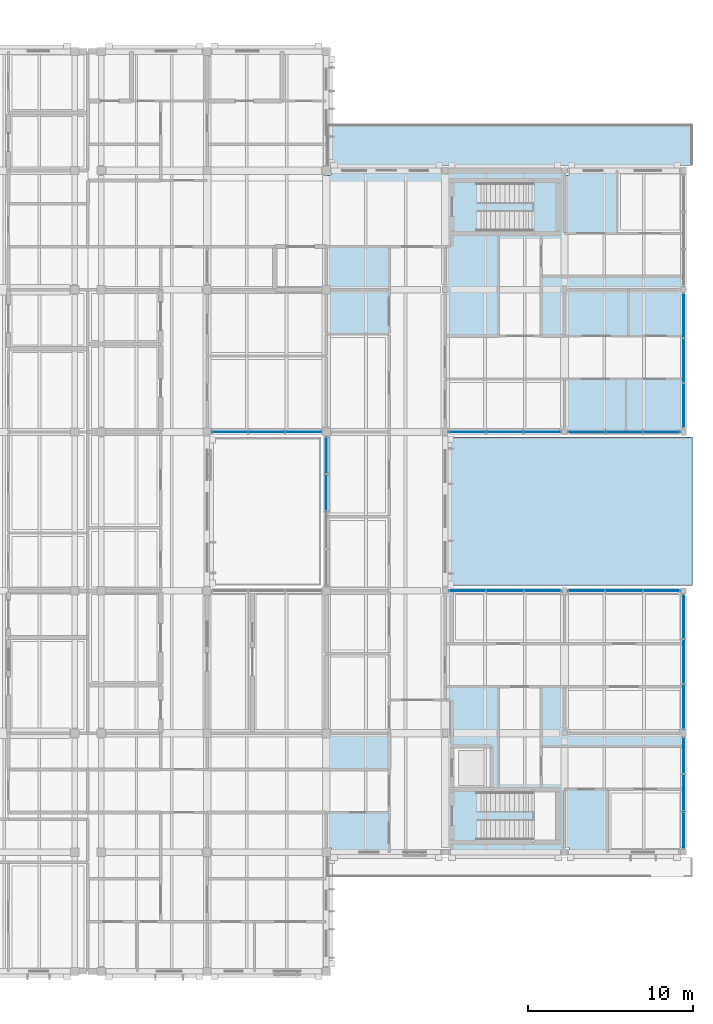
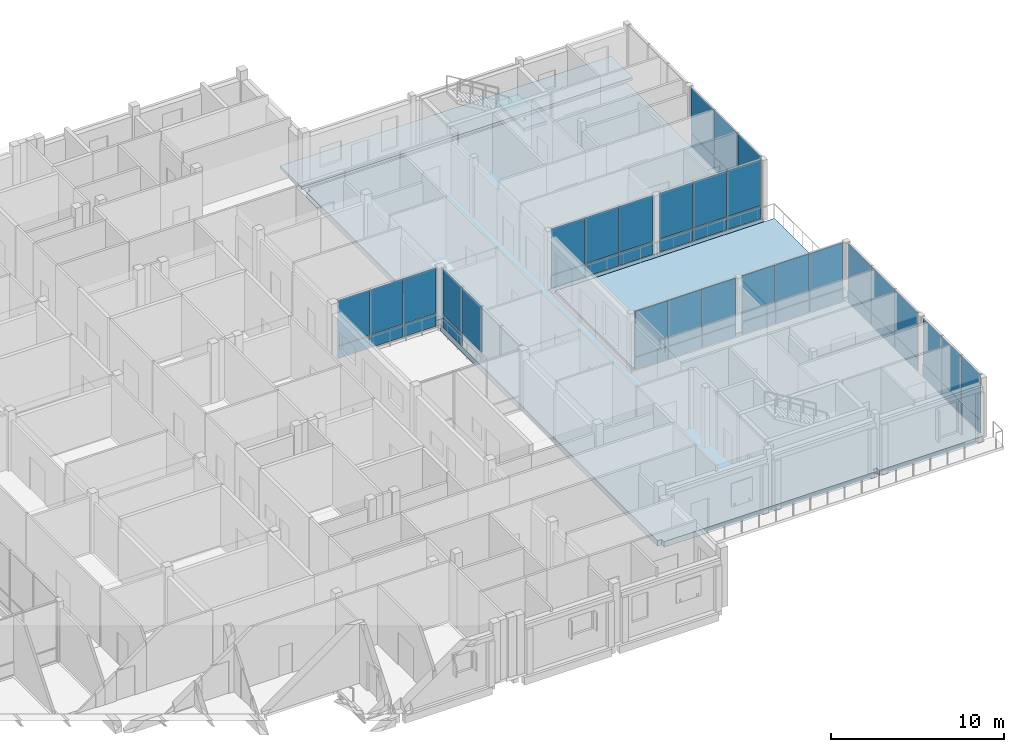
# One storey, part 102 of 146: 51 plates, 4 slabs, 10 elements without a shape of their own.
"""IFC4 building model written with IfcOpenShell, lengths in metres."""

from ifc_helpers import new_model, si_unit, direction, frame, origin, origin_2d, place, context, subcontext, project, spatial, polyline, rectangle, outline, extrude, material, layer, layer_set, type_object, element, aggregate, save


model = new_model("IFC4")

# Units and contexts
model_context = context("Model", 3, precision=1e-05, world=origin(), true_north=direction((0.0, 1.0)))
body_context = subcontext(model_context, "Body", "Model", "MODEL_VIEW")
ifc_project = project(units=[si_unit("LENGTHUNIT", "METRE"), si_unit("AREAUNIT", "SQUARE_METRE"), si_unit("VOLUMEUNIT", "CUBIC_METRE"), si_unit("PLANEANGLEUNIT", "RADIAN"), si_unit("MASSUNIT", "GRAM", prefix="KILO")], contexts=[model_context])

# Site, building, storey
site_placement = place(None, origin())
site = spatial("IfcSite", under=ifc_project, at=site_placement, CompositionType="ELEMENT")
building_placement = place(site_placement, origin())
building = spatial("IfcBuilding", under=site, at=building_placement, Name="Hawrajan Terrace Health Centre", CompositionType="ELEMENT")
storey_placement = place(building_placement, frame((0.0, 0.0, 4.5)))
storey = spatial("IfcBuildingStorey", under=building, at=storey_placement, Name="L01", CompositionType="ELEMENT", Elevation=4.5)

# Slab
ifc_material_1 = material(Name="Concrete C40/50", Category="concrete")
ifc_layer_1 = layer(ifc_material_1, 0.39990234375)
ifc_layer_set_1 = layer_set([ifc_layer_1], Name="Concrete C40/50")
slab_type_1 = type_object("IfcSlabType", Name="BaseSlab_RC400", PredefinedType="BASESLAB", material=ifc_layer_set_1)
slab_1_placement = place(storey_placement, frame((0.0, 0.0, -0.39990234375)))
element("IfcSlab", 1, at=slab_1_placement, inside=storey, type_object=slab_type_1, Name="Structural slab SL-L01-E-V6-Z6-1", PredefinedType="BASESLAB", context=body_context, shape_type="SweptSolid", body=[
    extrude(outline(polyline([(144.35009765625, 36.800048828125), (144.35009765625, 37.35009765625), (143.802001953125, 37.35009765625), (143.802001953125, 52.320068359375), (144.080078125, 52.320068359375), (144.080078125, 52.60009765625), (151.0, 52.60009765625), (158.199951171875, 52.60009765625), (158.199951171875, 52.320068359375), (158.47998046875, 52.320068359375), (158.47998046875, 52.60009765625), (165.39990234375, 52.60009765625), (165.39990234375, 45.39990234375), (165.39990234375, 36.800048828125), (158.199951171875, 36.800048828125), (151.0, 36.800048828125), (151.0, 27.199951171875), (158.199951171875, 27.199951171875), (165.39990234375, 27.199951171875), (165.39990234375, 18.60009765625), (165.39990234375, 11.39990234375), (158.47998046875, 11.39990234375), (158.47998046875, 11.679931640625), (158.199951171875, 11.679931640625), (158.199951171875, 11.39990234375), (151.0, 11.39990234375), (144.080078125, 11.39990234375), (144.080078125, 11.679931640625), (143.802001953125, 11.679931640625), (143.802001953125, 27.201904296875), (143.800048828125, 27.201904296875), (143.800048828125, 36.798095703125), (143.802001953125, 36.798095703125), (143.802001953125, 36.800048828125), (144.35009765625, 36.800048828125)])), origin(), (0.0, 0.0, 1.0), 0.39990234375),
])

# Curtain wall, plates
ifc_material_2 = material(Name="Anodized bronze aluminium and low-E solar glazing", Category="aluminium")
curtain_wall_type_1 = type_object("IfcCurtainWallType", Name="CW_Hall_SeriesD2", PredefinedType="USERDEFINED", material=ifc_material_2)
curtain_wall_1_placement = place(storey_placement, origin())
curtain_wall_1 = element("IfcCurtainWall", 2, at=curtain_wall_1_placement, inside=storey, type_object=curtain_wall_type_1, Name="Curtain wall CW-L01-107", ObjectType="UNITISED CURTAIN WALL", PredefinedType="USERDEFINED")
ifc_material_3 = material(Name="Diffused north-light insulated glazing", Category="glass")
ifc_layer_2 = layer(ifc_material_3, 0.031982421875)
ifc_layer_set_2 = layer_set([ifc_layer_2], Name="Diffused north-light insulated glazing")
plate_type_1 = type_object("IfcPlateType", Name="ClerestoryGlassPanel_32", PredefinedType="CURTAIN_PANEL", material=ifc_layer_set_2)
plate_1_placement = place(storey_placement, frame((143.800048828125, 33.128173828125, 0.9814453125), z_axis=(0.0, 0.0, 1.0), x_axis=(0.0, 1.0, 0.0)))
plate_1 = element("IfcPlate", 3, at=plate_1_placement, type_object=plate_type_1, Name="Curtain panel CW-L01-107-P3-2", PredefinedType="CURTAIN_PANEL", context=body_context, shape_type="SweptSolid", body=[
    extrude(rectangle(XDim=2.193359375, YDim=0.031982421875, at=origin_2d()), origin(), (0.0, 0.0, 1.0), 3.20947265625),
])
plate_2_placement = place(storey_placement, frame((143.800048828125, 35.384521484375, 0.9814453125), z_axis=(0.0, 0.0, 1.0), x_axis=(0.0, 1.0, 0.0)))
plate_2 = element("IfcPlate", 4, at=plate_2_placement, type_object=plate_type_1, Name="Curtain panel CW-L01-107-P4-2", PredefinedType="CURTAIN_PANEL", context=body_context, shape_type="SweptSolid", body=[
    extrude(rectangle(XDim=2.193359375, YDim=0.031982421875, at=origin_2d()), origin(), (0.0, 0.0, 1.0), 3.20947265625),
])

curtain_wall_type_2 = type_object("IfcCurtainWallType", Name="CW_Garden_SeriesF1", PredefinedType="USERDEFINED", material=ifc_material_2)
curtain_wall_2_placement = place(storey_placement, origin())
curtain_wall_2 = element("IfcCurtainWall", 5, at=curtain_wall_2_placement, inside=storey, type_object=curtain_wall_type_2, Name="Curtain wall CW-L01-110", ObjectType="UNITISED CURTAIN WALL", PredefinedType="USERDEFINED")
plate_3_placement = place(storey_placement, frame((165.39990234375, 12.739990234375, 0.9814453125), z_axis=(0.0, 0.0, 1.0), x_axis=(0.0, 1.0, 0.0)))
plate_3 = element("IfcPlate", 6, at=plate_3_placement, type_object=plate_type_1, Name="Curtain panel CW-L01-110-P1-2", PredefinedType="CURTAIN_PANEL", context=body_context, shape_type="SweptSolid", body=[
    extrude(rectangle(XDim=2.181884765625, YDim=0.031982421875, at=origin_2d()), origin(), (0.0, 0.0, 1.0), 3.20947265625),
])
plate_4_placement = place(storey_placement, frame((165.39990234375, 14.985107421875, 0.9814453125), z_axis=(0.0, 0.0, 1.0), x_axis=(0.0, 1.0, 0.0)))
plate_4 = element("IfcPlate", 7, at=plate_4_placement, type_object=plate_type_1, Name="Curtain panel CW-L01-110-P2-2", PredefinedType="CURTAIN_PANEL", context=body_context, shape_type="SweptSolid", body=[
    extrude(rectangle(XDim=2.181884765625, YDim=0.031982421875, at=origin_2d()), origin(), (0.0, 0.0, 1.0), 3.20947265625),
])
plate_5_placement = place(storey_placement, frame((165.39990234375, 17.22998046875, 0.9814453125), z_axis=(0.0, 0.0, 1.0), x_axis=(0.0, 1.0, 0.0)))
plate_5 = element("IfcPlate", 8, at=plate_5_placement, type_object=plate_type_1, Name="Curtain panel CW-L01-110-P3-2", PredefinedType="CURTAIN_PANEL", context=body_context, shape_type="SweptSolid", body=[
    extrude(rectangle(XDim=2.181884765625, YDim=0.031982421875, at=origin_2d()), origin(), (0.0, 0.0, 1.0), 3.20947265625),
])

curtain_wall_type_3 = type_object("IfcCurtainWallType", Name="CW_Clerestory_SeriesG2", PredefinedType="USERDEFINED", material=ifc_material_2)
curtain_wall_3_placement = place(storey_placement, origin())
curtain_wall_3 = element("IfcCurtainWall", 9, at=curtain_wall_3_placement, inside=storey, type_object=curtain_wall_type_3, Name="Curtain wall CW-L01-113", ObjectType="UNITISED CURTAIN WALL", PredefinedType="USERDEFINED")
plate_6_placement = place(storey_placement, frame((159.54833984375, 36.800048828125, 0.9814453125), z_axis=(0.0, 0.0, 1.0), x_axis=(1.0, 0.0, 0.0)))
plate_6 = element("IfcPlate", 10, at=plate_6_placement, type_object=plate_type_1, Name="Curtain panel CW-L01-113-P1-2", PredefinedType="CURTAIN_PANEL", context=body_context, shape_type="SweptSolid", body=[
    extrude(rectangle(XDim=2.19873046875, YDim=0.031982421875, at=origin_2d()), origin(), (0.0, 0.0, 1.0), 3.20947265625),
])
plate_7_placement = place(storey_placement, frame((161.81005859375, 36.800048828125, 0.9814453125), z_axis=(0.0, 0.0, 1.0), x_axis=(1.0, 0.0, 0.0)))
plate_7 = element("IfcPlate", 11, at=plate_7_placement, type_object=plate_type_1, Name="Curtain panel CW-L01-113-P2-2", PredefinedType="CURTAIN_PANEL", context=body_context, shape_type="SweptSolid", body=[
    extrude(rectangle(XDim=2.19873046875, YDim=0.031982421875, at=origin_2d()), origin(), (0.0, 0.0, 1.0), 3.20947265625),
])
plate_8_placement = place(storey_placement, frame((164.07177734375, 36.800048828125, 0.9814453125), z_axis=(0.0, 0.0, 1.0), x_axis=(1.0, 0.0, 0.0)))
plate_8 = element("IfcPlate", 12, at=plate_8_placement, type_object=plate_type_1, Name="Curtain panel CW-L01-113-P3-2", PredefinedType="CURTAIN_PANEL", context=body_context, shape_type="SweptSolid", body=[
    extrude(rectangle(XDim=2.19873046875, YDim=0.031982421875, at=origin_2d()), origin(), (0.0, 0.0, 1.0), 3.20947265625),
])

# Slabs
ifc_layer_3 = layer(ifc_material_1, 0.199951171875)
ifc_layer_set_3 = layer_set([ifc_layer_3], Name="Concrete C40/50")
slab_type_2 = type_object("IfcSlabType", Name="SiteApronPaving_RC200", PredefinedType="BASESLAB", material=ifc_layer_set_3)
slab_2_placement = place(storey_placement, frame((0.0, 0.0, -0.199951171875)))
element("IfcSlab", 13, at=slab_2_placement, inside=storey, type_object=slab_type_2, Name="Exterior escarpment terrace APRON-L01-EAST-GAIT", PredefinedType="BASESLAB", context=body_context, shape_type="SweptSolid", body=[
    extrude(outline(polyline([(151.31005859375, 27.510009765625), (165.949951171875, 27.510009765625), (165.949951171875, 36.489990234375), (151.31005859375, 36.489990234375), (151.31005859375, 27.510009765625)])), origin(), (0.0, 0.0, 1.0), 0.199951171875),
])
slab_3_placement = place(storey_placement, frame((0.0, 0.0, -0.199951171875)))
element("IfcSlab", 14, at=slab_3_placement, inside=storey, type_object=slab_type_2, Name="Exterior escarpment terrace APRON-L01-EAST-NORTH", PredefinedType="BASESLAB", context=body_context, shape_type="SweptSolid", body=[
    extrude(outline(polyline([(143.800048828125, 52.909912109375), (165.949951171875, 52.909912109375), (165.949951171875, 55.39990234375), (143.800048828125, 55.39990234375), (143.800048828125, 52.909912109375)])), origin(), (0.0, 0.0, 1.0), 0.199951171875),
])

# Curtain wall, plates
curtain_wall_type_4 = type_object("IfcCurtainWallType", Name="CW_Hall_SeriesD1", PredefinedType="USERDEFINED", material=ifc_material_2)
curtain_wall_4_placement = place(storey_placement, origin())
curtain_wall_4 = element("IfcCurtainWall", 15, at=curtain_wall_4_placement, inside=storey, type_object=curtain_wall_type_4, Name="Curtain wall CW-L01-106", ObjectType="UNITISED CURTAIN WALL", PredefinedType="USERDEFINED")
ifc_material_4 = material(Name="Insulated anodized bronze spandrel panel")
ifc_layer_4 = layer(ifc_material_4, 0.048095703125)
ifc_layer_set_4 = layer_set([ifc_layer_4], Name="Insulated anodized bronze spandrel panel")
plate_type_2 = type_object("IfcPlateType", Name="SpandrelPanel_Bronze48", PredefinedType="CURTAIN_PANEL", material=ifc_layer_set_4)
plate_9_placement = place(storey_placement, frame((137.98828125, 36.800048828125, 0.05908203125), z_axis=(0.0, 0.0, 1.0), x_axis=(1.0, 0.0, 0.0)))
plate_9 = element("IfcPlate", 16, at=plate_9_placement, type_object=plate_type_2, Name="Curtain panel CW-L01-106-P1-1", PredefinedType="CURTAIN_PANEL", context=body_context, shape_type="SweptSolid", body=[
    extrude(rectangle(XDim=2.15869140625, YDim=0.048095703125, at=origin_2d()), origin(), (0.0, 0.0, 1.0), 0.864501953125),
])
plate_10_placement = place(storey_placement, frame((140.199951171875, 36.800048828125, 0.05908203125), z_axis=(0.0, 0.0, 1.0), x_axis=(1.0, 0.0, 0.0)))
plate_10 = element("IfcPlate", 17, at=plate_10_placement, type_object=plate_type_2, Name="Curtain panel CW-L01-106-P2-1", PredefinedType="CURTAIN_PANEL", context=body_context, shape_type="SweptSolid", body=[
    extrude(rectangle(XDim=2.15869140625, YDim=0.048095703125, at=origin_2d()), origin(), (0.0, 0.0, 1.0), 0.864501953125),
])
plate_11_placement = place(storey_placement, frame((142.41162109375, 36.800048828125, 0.05908203125), z_axis=(0.0, 0.0, 1.0), x_axis=(1.0, 0.0, 0.0)))
plate_11 = element("IfcPlate", 18, at=plate_11_placement, type_object=plate_type_2, Name="Curtain panel CW-L01-106-P3-1", PredefinedType="CURTAIN_PANEL", context=body_context, shape_type="SweptSolid", body=[
    extrude(rectangle(XDim=2.15869140625, YDim=0.048095703125, at=origin_2d()), origin(), (0.0, 0.0, 1.0), 0.864501953125),
])

curtain_wall_type_5 = type_object("IfcCurtainWallType", Name="CW_Pavilion_SeriesE1", PredefinedType="USERDEFINED", material=ifc_material_2)
curtain_wall_5_placement = place(storey_placement, origin())
curtain_wall_5 = element("IfcCurtainWall", 19, at=curtain_wall_5_placement, inside=storey, type_object=curtain_wall_type_5, Name="Curtain wall CW-L01-108", ObjectType="UNITISED CURTAIN WALL", PredefinedType="USERDEFINED")
plate_12_placement = place(storey_placement, frame((152.344970703125, 27.199951171875, 0.05908203125), z_axis=(0.0, 0.0, 1.0), x_axis=(1.0, 0.0, 0.0)))
plate_12 = element("IfcPlate", 20, at=plate_12_placement, type_object=plate_type_2, Name="Curtain panel CW-L01-108-P1-1", PredefinedType="CURTAIN_PANEL", context=body_context, shape_type="SweptSolid", body=[
    extrude(rectangle(XDim=2.2119140625, YDim=0.048095703125, at=origin_2d()), origin(), (0.0, 0.0, 1.0), 0.864501953125),
])
plate_13_placement = place(storey_placement, frame((154.610107421875, 27.199951171875, 0.05908203125), z_axis=(0.0, 0.0, 1.0), x_axis=(1.0, 0.0, 0.0)))
plate_13 = element("IfcPlate", 21, at=plate_13_placement, type_object=plate_type_2, Name="Curtain panel CW-L01-108-P2-1", PredefinedType="CURTAIN_PANEL", context=body_context, shape_type="SweptSolid", body=[
    extrude(rectangle(XDim=2.2119140625, YDim=0.048095703125, at=origin_2d()), origin(), (0.0, 0.0, 1.0), 0.864501953125),
])
plate_14_placement = place(storey_placement, frame((156.875, 27.199951171875, 0.05908203125), z_axis=(0.0, 0.0, 1.0), x_axis=(1.0, 0.0, 0.0)))
plate_14 = element("IfcPlate", 22, at=plate_14_placement, type_object=plate_type_2, Name="Curtain panel CW-L01-108-P3-1", PredefinedType="CURTAIN_PANEL", context=body_context, shape_type="SweptSolid", body=[
    extrude(rectangle(XDim=2.2119140625, YDim=0.048095703125, at=origin_2d()), origin(), (0.0, 0.0, 1.0), 0.864501953125),
])

# Plate
plate_15_placement = place(storey_placement, frame((165.39990234375, 12.739990234375, 0.069091796875), z_axis=(0.0, 0.0, 1.0), x_axis=(0.0, 1.0, 0.0)))
plate_15 = element("IfcPlate", 23, at=plate_15_placement, type_object=plate_type_2, Name="Curtain panel CW-L01-110-P1-1", PredefinedType="CURTAIN_PANEL", context=body_context, shape_type="SweptSolid", body=[
    extrude(rectangle(XDim=2.181884765625, YDim=0.048095703125, at=origin_2d()), origin(), (0.0, 0.0, 1.0), 0.849609375),
])

plate_16_placement = place(storey_placement, frame((165.39990234375, 14.985107421875, 0.069091796875), z_axis=(0.0, 0.0, 1.0), x_axis=(0.0, 1.0, 0.0)))
plate_16 = element("IfcPlate", 24, at=plate_16_placement, type_object=plate_type_2, Name="Curtain panel CW-L01-110-P2-1", PredefinedType="CURTAIN_PANEL", context=body_context, shape_type="SweptSolid", body=[
    extrude(rectangle(XDim=2.181884765625, YDim=0.048095703125, at=origin_2d()), origin(), (0.0, 0.0, 1.0), 0.849609375),
])

plate_17_placement = place(storey_placement, frame((165.39990234375, 17.22998046875, 0.069091796875), z_axis=(0.0, 0.0, 1.0), x_axis=(0.0, 1.0, 0.0)))
plate_17 = element("IfcPlate", 25, at=plate_17_placement, type_object=plate_type_2, Name="Curtain panel CW-L01-110-P3-1", PredefinedType="CURTAIN_PANEL", context=body_context, shape_type="SweptSolid", body=[
    extrude(rectangle(XDim=2.181884765625, YDim=0.048095703125, at=origin_2d()), origin(), (0.0, 0.0, 1.0), 0.849609375),
])

aggregate(curtain_wall_2, [plate_15, plate_3, plate_16, plate_4, plate_17, plate_5])

# Curtain wall, plates
curtain_wall_type_6 = type_object("IfcCurtainWallType", Name="CW_Clerestory_SeriesG1", PredefinedType="USERDEFINED", material=ifc_material_2)
curtain_wall_6_placement = place(storey_placement, origin())
curtain_wall_6 = element("IfcCurtainWall", 26, at=curtain_wall_6_placement, inside=storey, type_object=curtain_wall_type_6, Name="Curtain wall CW-L01-112", ObjectType="UNITISED CURTAIN WALL", PredefinedType="USERDEFINED")
plate_18_placement = place(storey_placement, frame((165.39990234375, 20.199951171875, 0.05908203125), z_axis=(0.0, 0.0, 1.0), x_axis=(0.0, 1.0, 0.0)))
plate_18 = element("IfcPlate", 27, at=plate_18_placement, type_object=plate_type_2, Name="Curtain panel CW-L01-112-P1-1", PredefinedType="CURTAIN_PANEL", context=body_context, shape_type="SweptSolid", body=[
    extrude(rectangle(XDim=2.662109375, YDim=0.048095703125, at=origin_2d()), origin(), (0.0, 0.0, 1.0), 0.864501953125),
])
plate_19_placement = place(storey_placement, frame((165.39990234375, 22.9150390625, 0.05908203125), z_axis=(0.0, 0.0, 1.0), x_axis=(0.0, 1.0, 0.0)))
plate_19 = element("IfcPlate", 28, at=plate_19_placement, type_object=plate_type_2, Name="Curtain panel CW-L01-112-P2-1", PredefinedType="CURTAIN_PANEL", context=body_context, shape_type="SweptSolid", body=[
    extrude(rectangle(XDim=2.662109375, YDim=0.048095703125, at=origin_2d()), origin(), (0.0, 0.0, 1.0), 0.864501953125),
])
plate_20_placement = place(storey_placement, frame((165.39990234375, 25.6298828125, 0.05908203125), z_axis=(0.0, 0.0, 1.0), x_axis=(0.0, 1.0, 0.0)))
plate_20 = element("IfcPlate", 29, at=plate_20_placement, type_object=plate_type_2, Name="Curtain panel CW-L01-112-P3-1", PredefinedType="CURTAIN_PANEL", context=body_context, shape_type="SweptSolid", body=[
    extrude(rectangle(XDim=2.662109375, YDim=0.048095703125, at=origin_2d()), origin(), (0.0, 0.0, 1.0), 0.864501953125),
])

curtain_wall_type_7 = type_object("IfcCurtainWallType", Name="CW_Clerestory_SeriesG3", PredefinedType="USERDEFINED", material=ifc_material_2)
curtain_wall_7_placement = place(storey_placement, origin())
curtain_wall_7 = element("IfcCurtainWall", 30, at=curtain_wall_7_placement, inside=storey, type_object=curtain_wall_type_7, Name="Curtain wall CW-L01-114", ObjectType="UNITISED CURTAIN WALL", PredefinedType="USERDEFINED")
plate_21_placement = place(storey_placement, frame((165.39990234375, 38.39990234375, 0.05908203125), z_axis=(0.0, 0.0, 1.0), x_axis=(0.0, 1.0, 0.0)))
plate_21 = element("IfcPlate", 31, at=plate_21_placement, type_object=plate_type_2, Name="Curtain panel CW-L01-114-P1-1", PredefinedType="CURTAIN_PANEL", context=body_context, shape_type="SweptSolid", body=[
    extrude(rectangle(XDim=2.662109375, YDim=0.048095703125, at=origin_2d()), origin(), (0.0, 0.0, 1.0), 0.864501953125),
])
plate_22_placement = place(storey_placement, frame((165.39990234375, 41.114990234375, 0.05908203125), z_axis=(0.0, 0.0, 1.0), x_axis=(0.0, 1.0, 0.0)))
plate_22 = element("IfcPlate", 32, at=plate_22_placement, type_object=plate_type_2, Name="Curtain panel CW-L01-114-P2-1", PredefinedType="CURTAIN_PANEL", context=body_context, shape_type="SweptSolid", body=[
    extrude(rectangle(XDim=2.662109375, YDim=0.048095703125, at=origin_2d()), origin(), (0.0, 0.0, 1.0), 0.864501953125),
])
plate_23_placement = place(storey_placement, frame((165.39990234375, 43.830078125, 0.05908203125), z_axis=(0.0, 0.0, 1.0), x_axis=(0.0, 1.0, 0.0)))
plate_23 = element("IfcPlate", 33, at=plate_23_placement, type_object=plate_type_2, Name="Curtain panel CW-L01-114-P3-1", PredefinedType="CURTAIN_PANEL", context=body_context, shape_type="SweptSolid", body=[
    extrude(rectangle(XDim=2.662109375, YDim=0.048095703125, at=origin_2d()), origin(), (0.0, 0.0, 1.0), 0.864501953125),
])

# Plate
ifc_material_5 = material(Name="Insulated reconstituted coral-stone spandrel", Category="masonry")
ifc_layer_5 = layer(ifc_material_5, 0.055908203125)
ifc_layer_set_5 = layer_set([ifc_layer_5], Name="Insulated reconstituted coral-stone spandrel")
plate_type_3 = type_object("IfcPlateType", Name="SpandrelPanel_Coral56", PredefinedType="CURTAIN_PANEL", material=ifc_layer_set_5)
plate_24_placement = place(storey_placement, frame((143.800048828125, 35.384521484375, 0.069091796875), z_axis=(0.0, 0.0, 1.0), x_axis=(0.0, 1.0, 0.0)))
plate_24 = element("IfcPlate", 34, at=plate_24_placement, type_object=plate_type_3, Name="Curtain panel CW-L01-107-P4-1", PredefinedType="CURTAIN_PANEL", context=body_context, shape_type="SweptSolid", body=[
    extrude(rectangle(XDim=2.193359375, YDim=0.055908203125, at=origin_2d()), origin(), (0.0, 0.0, 1.0), 0.849609375),
])

aggregate(curtain_wall_1, [plate_1, plate_24, plate_2])

# Curtain wall, plates
curtain_wall_type_8 = type_object("IfcCurtainWallType", Name="CW_Pavilion_SeriesE2", PredefinedType="USERDEFINED", material=ifc_material_2)
curtain_wall_8_placement = place(storey_placement, origin())
curtain_wall_8 = element("IfcCurtainWall", 35, at=curtain_wall_8_placement, inside=storey, type_object=curtain_wall_type_8, Name="Curtain wall CW-L01-109", ObjectType="UNITISED CURTAIN WALL", PredefinedType="USERDEFINED")
plate_25_placement = place(storey_placement, frame((152.324951171875, 36.800048828125, 0.05908203125), z_axis=(0.0, 0.0, 1.0), x_axis=(1.0, 0.0, 0.0)))
plate_25 = element("IfcPlate", 36, at=plate_25_placement, type_object=plate_type_3, Name="Curtain panel CW-L01-109-P1-1", PredefinedType="CURTAIN_PANEL", context=body_context, shape_type="SweptSolid", body=[
    extrude(rectangle(XDim=2.2119140625, YDim=0.055908203125, at=origin_2d()), origin(), (0.0, 0.0, 1.0), 0.864501953125),
])
plate_26_placement = place(storey_placement, frame((154.590087890625, 36.800048828125, 0.05908203125), z_axis=(0.0, 0.0, 1.0), x_axis=(1.0, 0.0, 0.0)))
plate_26 = element("IfcPlate", 37, at=plate_26_placement, type_object=plate_type_3, Name="Curtain panel CW-L01-109-P2-1", PredefinedType="CURTAIN_PANEL", context=body_context, shape_type="SweptSolid", body=[
    extrude(rectangle(XDim=2.2119140625, YDim=0.055908203125, at=origin_2d()), origin(), (0.0, 0.0, 1.0), 0.864501953125),
])
plate_27_placement = place(storey_placement, frame((156.85498046875, 36.800048828125, 0.05908203125), z_axis=(0.0, 0.0, 1.0), x_axis=(1.0, 0.0, 0.0)))
plate_27 = element("IfcPlate", 38, at=plate_27_placement, type_object=plate_type_3, Name="Curtain panel CW-L01-109-P3-1", PredefinedType="CURTAIN_PANEL", context=body_context, shape_type="SweptSolid", body=[
    extrude(rectangle(XDim=2.2119140625, YDim=0.055908203125, at=origin_2d()), origin(), (0.0, 0.0, 1.0), 0.864501953125),
])

curtain_wall_type_9 = type_object("IfcCurtainWallType", Name="CW_Garden_SeriesF2", PredefinedType="USERDEFINED", material=ifc_material_2)
curtain_wall_9_placement = place(storey_placement, origin())
curtain_wall_9 = element("IfcCurtainWall", 39, at=curtain_wall_9_placement, inside=storey, type_object=curtain_wall_type_9, Name="Curtain wall CW-L01-111", ObjectType="UNITISED CURTAIN WALL", PredefinedType="USERDEFINED")
plate_28_placement = place(storey_placement, frame((159.52490234375, 27.199951171875, 0.05908203125), z_axis=(0.0, 0.0, 1.0), x_axis=(1.0, 0.0, 0.0)))
plate_28 = element("IfcPlate", 40, at=plate_28_placement, type_object=plate_type_3, Name="Curtain panel CW-L01-111-P1-1", PredefinedType="CURTAIN_PANEL", context=body_context, shape_type="SweptSolid", body=[
    extrude(rectangle(XDim=2.2119140625, YDim=0.055908203125, at=origin_2d()), origin(), (0.0, 0.0, 1.0), 0.864501953125),
])
plate_29_placement = place(storey_placement, frame((161.7900390625, 27.199951171875, 0.05908203125), z_axis=(0.0, 0.0, 1.0), x_axis=(1.0, 0.0, 0.0)))
plate_29 = element("IfcPlate", 41, at=plate_29_placement, type_object=plate_type_3, Name="Curtain panel CW-L01-111-P2-1", PredefinedType="CURTAIN_PANEL", context=body_context, shape_type="SweptSolid", body=[
    extrude(rectangle(XDim=2.2119140625, YDim=0.055908203125, at=origin_2d()), origin(), (0.0, 0.0, 1.0), 0.864501953125),
])
plate_30_placement = place(storey_placement, frame((164.054931640625, 27.199951171875, 0.05908203125), z_axis=(0.0, 0.0, 1.0), x_axis=(1.0, 0.0, 0.0)))
plate_30 = element("IfcPlate", 42, at=plate_30_placement, type_object=plate_type_3, Name="Curtain panel CW-L01-111-P3-1", PredefinedType="CURTAIN_PANEL", context=body_context, shape_type="SweptSolid", body=[
    extrude(rectangle(XDim=2.2119140625, YDim=0.055908203125, at=origin_2d()), origin(), (0.0, 0.0, 1.0), 0.864501953125),
])

# Plate
plate_31_placement = place(storey_placement, frame((159.54833984375, 36.800048828125, 0.069091796875), z_axis=(0.0, 0.0, 1.0), x_axis=(1.0, 0.0, 0.0)))
plate_31 = element("IfcPlate", 43, at=plate_31_placement, type_object=plate_type_3, Name="Curtain panel CW-L01-113-P1-1", PredefinedType="CURTAIN_PANEL", context=body_context, shape_type="SweptSolid", body=[
    extrude(rectangle(XDim=2.19873046875, YDim=0.055908203125, at=origin_2d()), origin(), (0.0, 0.0, 1.0), 0.849609375),
])

plate_32_placement = place(storey_placement, frame((161.81005859375, 36.800048828125, 0.069091796875), z_axis=(0.0, 0.0, 1.0), x_axis=(1.0, 0.0, 0.0)))
plate_32 = element("IfcPlate", 44, at=plate_32_placement, type_object=plate_type_3, Name="Curtain panel CW-L01-113-P2-1", PredefinedType="CURTAIN_PANEL", context=body_context, shape_type="SweptSolid", body=[
    extrude(rectangle(XDim=2.19873046875, YDim=0.055908203125, at=origin_2d()), origin(), (0.0, 0.0, 1.0), 0.849609375),
])

plate_33_placement = place(storey_placement, frame((164.07177734375, 36.800048828125, 0.069091796875), z_axis=(0.0, 0.0, 1.0), x_axis=(1.0, 0.0, 0.0)))
plate_33 = element("IfcPlate", 45, at=plate_33_placement, type_object=plate_type_3, Name="Curtain panel CW-L01-113-P3-1", PredefinedType="CURTAIN_PANEL", context=body_context, shape_type="SweptSolid", body=[
    extrude(rectangle(XDim=2.19873046875, YDim=0.055908203125, at=origin_2d()), origin(), (0.0, 0.0, 1.0), 0.849609375),
])

aggregate(curtain_wall_3, [plate_31, plate_6, plate_32, plate_7, plate_33, plate_8])

# Stair, slab
stair_type = type_object("IfcStairType", Name="Stair_4500_W1250", PredefinedType="HALF_TURN_STAIR", material=ifc_material_1)
stair_placement = place(storey_placement, origin())
stair = element("IfcStair", 46, at=stair_placement, inside=storey, type_object=stair_type, Name="Stair ST-9-L01", PredefinedType="HALF_TURN_STAIR")
ifc_layer_6 = layer(ifc_material_1, 0.219970703125)
ifc_layer_set_6 = layer_set([ifc_layer_6], Name="Concrete C40/50")
slab_type_3 = type_object("IfcSlabType", Name="StairLanding_RC220", PredefinedType="LANDING", material=ifc_layer_set_6)
slab_4_placement = place(storey_placement, frame((0.0, 0.0, 2.030029296875)))
slab_4 = element("IfcSlab", 47, at=slab_4_placement, type_object=slab_type_3, Name="Stair half landing ST-9-L01-L1", PredefinedType="LANDING", context=body_context, shape_type="SweptSolid", body=[
    extrude(outline(polyline([(156.300048828125, 48.800048828125), (157.800048828125, 48.800048828125), (157.800048828125, 52.0), (156.300048828125, 52.0), (156.300048828125, 48.800048828125)])), origin(), (0.0, 0.0, 1.0), 0.219970703125),
])
aggregate(stair, [slab_4])

# Plate
ifc_material_6 = material(Name="Double-glazed solar control low-E glass", Category="glass")
ifc_layer_7 = layer(ifc_material_6, 0.028076171875)
ifc_layer_set_7 = layer_set([ifc_layer_7], Name="Double-glazed solar control low-E glass")
plate_type_4 = type_object("IfcPlateType", Name="VisionGlassPanel_28", PredefinedType="CURTAIN_PANEL", material=ifc_layer_set_7)
plate_34_placement = place(storey_placement, frame((152.344970703125, 27.199951171875, 0.976318359375), z_axis=(0.0, 0.0, 1.0), x_axis=(1.0, 0.0, 0.0)))
plate_34 = element("IfcPlate", 48, at=plate_34_placement, type_object=plate_type_4, Name="Curtain panel CW-L01-108-P1-2", PredefinedType="CURTAIN_PANEL", context=body_context, shape_type="SweptSolid", body=[
    extrude(rectangle(XDim=2.2119140625, YDim=0.028076171875, at=origin_2d()), origin(), (0.0, 0.0, 1.0), 3.224609375),
])

plate_35_placement = place(storey_placement, frame((154.610107421875, 27.199951171875, 0.976318359375), z_axis=(0.0, 0.0, 1.0), x_axis=(1.0, 0.0, 0.0)))
plate_35 = element("IfcPlate", 49, at=plate_35_placement, type_object=plate_type_4, Name="Curtain panel CW-L01-108-P2-2", PredefinedType="CURTAIN_PANEL", context=body_context, shape_type="SweptSolid", body=[
    extrude(rectangle(XDim=2.2119140625, YDim=0.028076171875, at=origin_2d()), origin(), (0.0, 0.0, 1.0), 3.224609375),
])

plate_36_placement = place(storey_placement, frame((156.875, 27.199951171875, 0.976318359375), z_axis=(0.0, 0.0, 1.0), x_axis=(1.0, 0.0, 0.0)))
plate_36 = element("IfcPlate", 50, at=plate_36_placement, type_object=plate_type_4, Name="Curtain panel CW-L01-108-P3-2", PredefinedType="CURTAIN_PANEL", context=body_context, shape_type="SweptSolid", body=[
    extrude(rectangle(XDim=2.2119140625, YDim=0.028076171875, at=origin_2d()), origin(), (0.0, 0.0, 1.0), 3.224609375),
])

aggregate(curtain_wall_5, [plate_12, plate_34, plate_13, plate_35, plate_14, plate_36])

plate_37_placement = place(storey_placement, frame((159.52490234375, 27.199951171875, 0.976318359375), z_axis=(0.0, 0.0, 1.0), x_axis=(1.0, 0.0, 0.0)))
plate_37 = element("IfcPlate", 51, at=plate_37_placement, type_object=plate_type_4, Name="Curtain panel CW-L01-111-P1-2", PredefinedType="CURTAIN_PANEL", context=body_context, shape_type="SweptSolid", body=[
    extrude(rectangle(XDim=2.2119140625, YDim=0.028076171875, at=origin_2d()), origin(), (0.0, 0.0, 1.0), 3.224609375),
])

plate_38_placement = place(storey_placement, frame((161.7900390625, 27.199951171875, 0.976318359375), z_axis=(0.0, 0.0, 1.0), x_axis=(1.0, 0.0, 0.0)))
plate_38 = element("IfcPlate", 52, at=plate_38_placement, type_object=plate_type_4, Name="Curtain panel CW-L01-111-P2-2", PredefinedType="CURTAIN_PANEL", context=body_context, shape_type="SweptSolid", body=[
    extrude(rectangle(XDim=2.2119140625, YDim=0.028076171875, at=origin_2d()), origin(), (0.0, 0.0, 1.0), 3.224609375),
])

plate_39_placement = place(storey_placement, frame((164.054931640625, 27.199951171875, 0.976318359375), z_axis=(0.0, 0.0, 1.0), x_axis=(1.0, 0.0, 0.0)))
plate_39 = element("IfcPlate", 53, at=plate_39_placement, type_object=plate_type_4, Name="Curtain panel CW-L01-111-P3-2", PredefinedType="CURTAIN_PANEL", context=body_context, shape_type="SweptSolid", body=[
    extrude(rectangle(XDim=2.2119140625, YDim=0.028076171875, at=origin_2d()), origin(), (0.0, 0.0, 1.0), 3.224609375),
])

aggregate(curtain_wall_9, [plate_28, plate_37, plate_29, plate_38, plate_30, plate_39])

plate_40_placement = place(storey_placement, frame((165.39990234375, 38.39990234375, 0.976318359375), z_axis=(0.0, 0.0, 1.0), x_axis=(0.0, 1.0, 0.0)))
plate_40 = element("IfcPlate", 54, at=plate_40_placement, type_object=plate_type_4, Name="Curtain panel CW-L01-114-P1-2", PredefinedType="CURTAIN_PANEL", context=body_context, shape_type="SweptSolid", body=[
    extrude(rectangle(XDim=2.662109375, YDim=0.028076171875, at=origin_2d()), origin(), (0.0, 0.0, 1.0), 3.224609375),
])

plate_41_placement = place(storey_placement, frame((165.39990234375, 41.114990234375, 0.976318359375), z_axis=(0.0, 0.0, 1.0), x_axis=(0.0, 1.0, 0.0)))
plate_41 = element("IfcPlate", 55, at=plate_41_placement, type_object=plate_type_4, Name="Curtain panel CW-L01-114-P2-2", PredefinedType="CURTAIN_PANEL", context=body_context, shape_type="SweptSolid", body=[
    extrude(rectangle(XDim=2.662109375, YDim=0.028076171875, at=origin_2d()), origin(), (0.0, 0.0, 1.0), 3.224609375),
])

plate_42_placement = place(storey_placement, frame((165.39990234375, 43.830078125, 0.976318359375), z_axis=(0.0, 0.0, 1.0), x_axis=(0.0, 1.0, 0.0)))
plate_42 = element("IfcPlate", 56, at=plate_42_placement, type_object=plate_type_4, Name="Curtain panel CW-L01-114-P3-2", PredefinedType="CURTAIN_PANEL", context=body_context, shape_type="SweptSolid", body=[
    extrude(rectangle(XDim=2.662109375, YDim=0.028076171875, at=origin_2d()), origin(), (0.0, 0.0, 1.0), 3.224609375),
])

aggregate(curtain_wall_7, [plate_21, plate_40, plate_22, plate_41, plate_23, plate_42])

ifc_material_7 = material(Name="Triple-glazed solar acoustic low-E glass", Category="glass")
ifc_layer_8 = layer(ifc_material_7, 0.035888671875)
ifc_layer_set_8 = layer_set([ifc_layer_8], Name="Triple-glazed solar acoustic low-E glass")
plate_type_5 = type_object("IfcPlateType", Name="VisionGlassPanel_36", PredefinedType="CURTAIN_PANEL", material=ifc_layer_set_8)
plate_43_placement = place(storey_placement, frame((137.98828125, 36.800048828125, 0.976318359375), z_axis=(0.0, 0.0, 1.0), x_axis=(1.0, 0.0, 0.0)))
plate_43 = element("IfcPlate", 57, at=plate_43_placement, type_object=plate_type_5, Name="Curtain panel CW-L01-106-P1-2", PredefinedType="CURTAIN_PANEL", context=body_context, shape_type="SweptSolid", body=[
    extrude(rectangle(XDim=2.15869140625, YDim=0.035888671875, at=origin_2d()), origin(), (0.0, 0.0, 1.0), 3.1845703125),
])

plate_44_placement = place(storey_placement, frame((140.199951171875, 36.800048828125, 0.976318359375), z_axis=(0.0, 0.0, 1.0), x_axis=(1.0, 0.0, 0.0)))
plate_44 = element("IfcPlate", 58, at=plate_44_placement, type_object=plate_type_5, Name="Curtain panel CW-L01-106-P2-2", PredefinedType="CURTAIN_PANEL", context=body_context, shape_type="SweptSolid", body=[
    extrude(rectangle(XDim=2.15869140625, YDim=0.035888671875, at=origin_2d()), origin(), (0.0, 0.0, 1.0), 3.1845703125),
])

plate_45_placement = place(storey_placement, frame((142.41162109375, 36.800048828125, 0.976318359375), z_axis=(0.0, 0.0, 1.0), x_axis=(1.0, 0.0, 0.0)))
plate_45 = element("IfcPlate", 59, at=plate_45_placement, type_object=plate_type_5, Name="Curtain panel CW-L01-106-P3-2", PredefinedType="CURTAIN_PANEL", context=body_context, shape_type="SweptSolid", body=[
    extrude(rectangle(XDim=2.15869140625, YDim=0.035888671875, at=origin_2d()), origin(), (0.0, 0.0, 1.0), 3.1845703125),
])

aggregate(curtain_wall_4, [plate_9, plate_43, plate_10, plate_44, plate_11, plate_45])

plate_46_placement = place(storey_placement, frame((152.324951171875, 36.800048828125, 0.976318359375), z_axis=(0.0, 0.0, 1.0), x_axis=(1.0, 0.0, 0.0)))
plate_46 = element("IfcPlate", 60, at=plate_46_placement, type_object=plate_type_5, Name="Curtain panel CW-L01-109-P1-2", PredefinedType="CURTAIN_PANEL", context=body_context, shape_type="SweptSolid", body=[
    extrude(rectangle(XDim=2.2119140625, YDim=0.035888671875, at=origin_2d()), origin(), (0.0, 0.0, 1.0), 3.224609375),
])

plate_47_placement = place(storey_placement, frame((154.590087890625, 36.800048828125, 0.976318359375), z_axis=(0.0, 0.0, 1.0), x_axis=(1.0, 0.0, 0.0)))
plate_47 = element("IfcPlate", 61, at=plate_47_placement, type_object=plate_type_5, Name="Curtain panel CW-L01-109-P2-2", PredefinedType="CURTAIN_PANEL", context=body_context, shape_type="SweptSolid", body=[
    extrude(rectangle(XDim=2.2119140625, YDim=0.035888671875, at=origin_2d()), origin(), (0.0, 0.0, 1.0), 3.224609375),
])

plate_48_placement = place(storey_placement, frame((156.85498046875, 36.800048828125, 0.976318359375), z_axis=(0.0, 0.0, 1.0), x_axis=(1.0, 0.0, 0.0)))
plate_48 = element("IfcPlate", 62, at=plate_48_placement, type_object=plate_type_5, Name="Curtain panel CW-L01-109-P3-2", PredefinedType="CURTAIN_PANEL", context=body_context, shape_type="SweptSolid", body=[
    extrude(rectangle(XDim=2.2119140625, YDim=0.035888671875, at=origin_2d()), origin(), (0.0, 0.0, 1.0), 3.224609375),
])

aggregate(curtain_wall_8, [plate_25, plate_46, plate_26, plate_47, plate_27, plate_48])

plate_49_placement = place(storey_placement, frame((165.39990234375, 20.199951171875, 0.976318359375), z_axis=(0.0, 0.0, 1.0), x_axis=(0.0, 1.0, 0.0)))
plate_49 = element("IfcPlate", 63, at=plate_49_placement, type_object=plate_type_5, Name="Curtain panel CW-L01-112-P1-2", PredefinedType="CURTAIN_PANEL", context=body_context, shape_type="SweptSolid", body=[
    extrude(rectangle(XDim=2.662109375, YDim=0.035888671875, at=origin_2d()), origin(), (0.0, 0.0, 1.0), 3.224609375),
])

plate_50_placement = place(storey_placement, frame((165.39990234375, 22.9150390625, 0.976318359375), z_axis=(0.0, 0.0, 1.0), x_axis=(0.0, 1.0, 0.0)))
plate_50 = element("IfcPlate", 64, at=plate_50_placement, type_object=plate_type_5, Name="Curtain panel CW-L01-112-P2-2", PredefinedType="CURTAIN_PANEL", context=body_context, shape_type="SweptSolid", body=[
    extrude(rectangle(XDim=2.662109375, YDim=0.035888671875, at=origin_2d()), origin(), (0.0, 0.0, 1.0), 3.224609375),
])

plate_51_placement = place(storey_placement, frame((165.39990234375, 25.6298828125, 0.976318359375), z_axis=(0.0, 0.0, 1.0), x_axis=(0.0, 1.0, 0.0)))
plate_51 = element("IfcPlate", 65, at=plate_51_placement, type_object=plate_type_5, Name="Curtain panel CW-L01-112-P3-2", PredefinedType="CURTAIN_PANEL", context=body_context, shape_type="SweptSolid", body=[
    extrude(rectangle(XDim=2.662109375, YDim=0.035888671875, at=origin_2d()), origin(), (0.0, 0.0, 1.0), 3.224609375),
])

aggregate(curtain_wall_6, [plate_18, plate_49, plate_19, plate_50, plate_20, plate_51])

save(model, "model.ifc")
